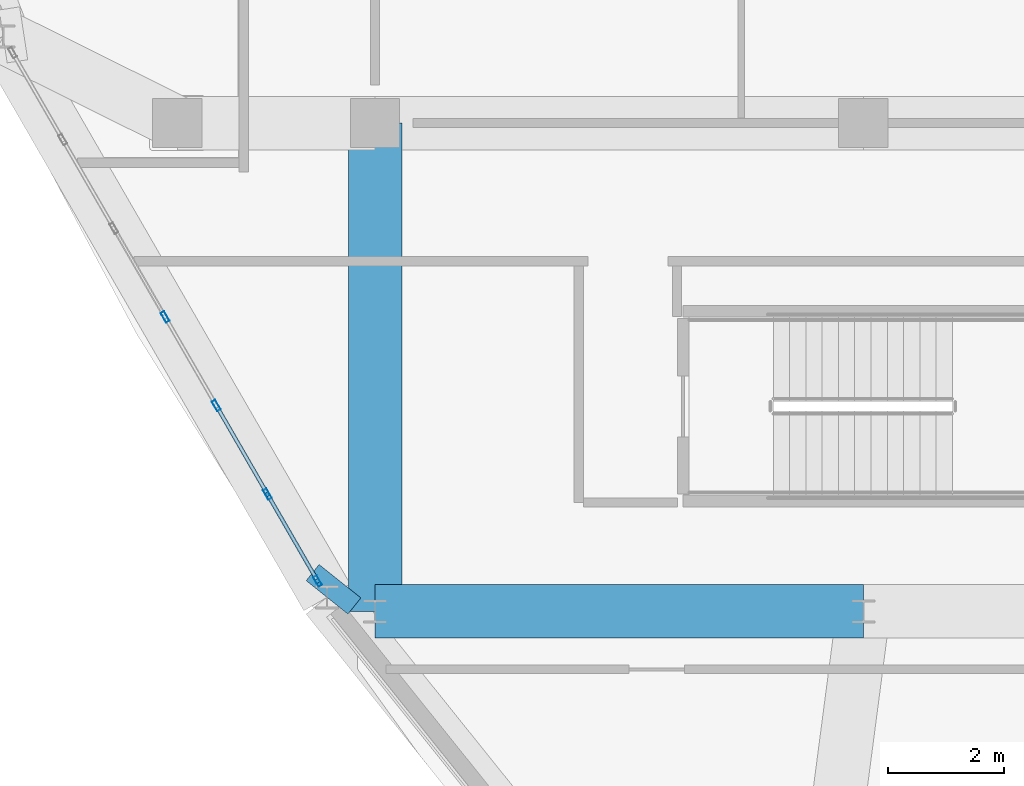
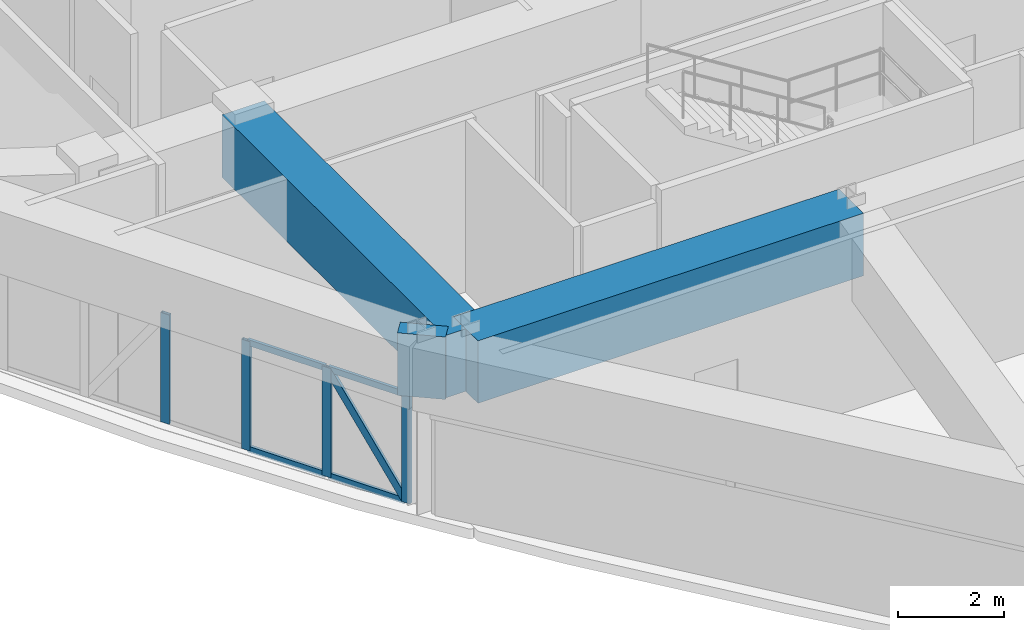
# One storey, part 2 of 17: 9 members, 3 beams, 1 element without a shape of its own.
"""IFC4 building model written with IfcOpenShell, lengths in metres."""

from ifc_helpers import new_model, si_unit, derived_unit, direction, frame, origin, origin_2d, place, context, subcontext, project, spatial, rectangle, hollow_rectangle, extrude, source, transform, mapped, material, layer, layer_set, material_profile, profile_set, type_object, element, aggregate, save


model = new_model("IFC4")

# Units and contexts
model_context = context("Model", 3, precision=1e-05, world=origin(), true_north=direction((0.0, 1.0)))
body_context = subcontext(model_context, "Body", "Model", "MODEL_VIEW")
ifc_project = project(units=[si_unit("LENGTHUNIT", "METRE"), si_unit("AREAUNIT", "SQUARE_METRE"), si_unit("VOLUMEUNIT", "CUBIC_METRE"), si_unit("PLANEANGLEUNIT", "RADIAN"), si_unit("MASSUNIT", "GRAM", prefix="KILO"), derived_unit("THERMALTRANSMITTANCEUNIT", [(si_unit("POWERUNIT", "WATT"), 1), (si_unit("LENGTHUNIT", "METRE"), -2), (si_unit("THERMODYNAMICTEMPERATUREUNIT", "KELVIN"), -1)])], contexts=[model_context])

# Site, building, storey
site_placement = place(None, origin())
site = spatial("IfcSite", under=ifc_project, at=site_placement, CompositionType="ELEMENT")
building_placement = place(site_placement, origin())
building = spatial("IfcBuilding", under=site, at=building_placement, Name="Korsvarv Bourse and Concert Hall", CompositionType="ELEMENT")
storey_placement = place(building_placement, frame((0.0, 0.0, 279.60009765625)))
storey = spatial("IfcBuildingStorey", under=building, at=storey_placement, Name="L73", CompositionType="ELEMENT", Elevation=279.60009765625)

# Beams
ifc_material_1 = material(Name="Concrete C50/60", Category="concrete")
ifc_material_profile_1 = material_profile(ifc_material_1, rectangle(XDim=0.919921875, YDim=1.43994140625, at=origin_2d()), Name="RC-BM 920x1440")
ifc_profile_set_1 = profile_set([ifc_material_profile_1], Name="Concrete C50/60")
beam_type = type_object("IfcBeamType", Name="BM-TR-144", PredefinedType="BEAM", material=ifc_profile_set_1)
shared_shape_1 = source(origin(), body_context, "Body", "SweptSolid", [
    extrude(rectangle(XDim=0.919921875, YDim=1.43994140625, at=origin_2d()), origin(), (0.0, 0.0, 1.0), 8.39990234375),
])
for number, where, z_axis, x_axis, name in (
    (1, (27.60009765625, 24.0, 3.239990234375), (1.0, 0.0, 0.0), (0.0, 1.0, 0.0), "L73 beam B-TR4"),
    (2, (27.60009765625, 24.0, 3.239990234375), (0.0, 1.0, 0.0), (-1.0, 0.0, 0.0), "L73 beam B-TR4"),
):
    element("IfcBeam", number, at=place(storey_placement, frame(where, z_axis=z_axis, x_axis=x_axis)), inside=storey, type_object=beam_type, Name=name, PredefinedType="BEAM", context=body_context, shape_type="MappedRepresentation", body=[
        mapped(shared_shape_1, transform((0.0, 0.0, 0.0), scale=1.0)),
    ])
shared_shape_2 = source(origin(), body_context, "Body", "SweptSolid", [
    extrude(rectangle(XDim=0.919921875, YDim=1.43994140625, at=origin_2d()), origin(), (0.0, 0.0, 1.0), 0.3564453125),
])
beam_placement = place(storey_placement, frame((26.77490234375, 24.24267578125, 3.239990234375), z_axis=(0.624695047554, 0.780868809443, 0.0), x_axis=(-0.780868809443, 0.624695047554, 0.0)))
element("IfcBeam", 3, at=beam_placement, inside=storey, type_object=beam_type, Name="L73 beam B-TR4", PredefinedType="BEAM", context=body_context, shape_type="MappedRepresentation", body=[
    mapped(shared_shape_2, transform((0.0, 0.0, 0.0), scale=1.0)),
])

# Curtain wall, members
ifc_material_2 = material(Name="Anodised aluminium and triple low-E glazing", Category="glass")
ifc_layer = layer(ifc_material_2, 0.18994140625)
ifc_layer_set = layer_set([ifc_layer], Name="Anodised aluminium and triple low-E glazing")
curtain_wall_type = type_object("IfcCurtainWallType", Name="CW-SYS-4", PredefinedType="NOTDEFINED", material=ifc_layer_set)
curtain_wall_placement = place(storey_placement, origin())
curtain_wall = element("IfcCurtainWall", 4, at=curtain_wall_placement, inside=storey, type_object=curtain_wall_type, Name="L73 CW4 curtain wall CW-L73-F07", PredefinedType="NOTDEFINED")
ifc_material_3 = material(Name="Extruded aluminium EN AW-6063 T66", Category="aluminium")
ifc_material_profile_2 = material_profile(ifc_material_3, hollow_rectangle(XDim=0.070068359375, YDim=0.18994140625, WallThickness=0.0048828125, at=origin_2d()), Name="ALU-M 70x190")
ifc_profile_set_2 = profile_set([ifc_material_profile_2], Name="Extruded aluminium EN AW-6063 T66")
member_type_1 = type_object("IfcMemberType", Name="CWM-190", PredefinedType="MULLION", material=ifc_profile_set_2)
shared_shape_3 = source(origin(), body_context, "Body", "SweptSolid", [
    extrude(hollow_rectangle(XDim=0.070068359375, YDim=0.18994140625, WallThickness=0.0048828125, at=origin_2d()), origin(), (0.0, 0.0, 1.0), 2.52001953125),
])
member_1_placement = place(storey_placement, frame((23.989990234375, 29.066162109375, 0.0), z_axis=(0.0, 0.0, 1.0), x_axis=(0.866026512974, 0.499998078822, 0.0)))
member_1 = element("IfcMember", 5, at=member_1_placement, type_object=member_type_1, Name="CW4 mullion 4", PredefinedType="MULLION", context=body_context, shape_type="MappedRepresentation", body=[
    mapped(shared_shape_3, transform((0.0, 0.0, 0.0), scale=1.0)),
])
member_2_placement = place(storey_placement, frame((24.870361328125, 27.54150390625, 0.0), z_axis=(0.0, 0.0, 1.0), x_axis=(0.866026512974, 0.499998078822, 0.0)))
member_2 = element("IfcMember", 6, at=member_2_placement, type_object=member_type_1, Name="CW4 mullion 5", PredefinedType="MULLION", context=body_context, shape_type="MappedRepresentation", body=[
    mapped(shared_shape_3, transform((0.0, 0.0, 0.0), scale=1.0)),
])
member_3_placement = place(storey_placement, frame((25.75048828125, 26.016845703125, 0.0), z_axis=(0.0, 0.0, 1.0), x_axis=(0.866026512974, 0.499998078822, 0.0)))
member_3 = element("IfcMember", 7, at=member_3_placement, type_object=member_type_1, Name="CW4 mullion 6", PredefinedType="MULLION", context=body_context, shape_type="MappedRepresentation", body=[
    mapped(shared_shape_3, transform((0.0, 0.0, 0.0), scale=1.0)),
])
member_4_placement = place(storey_placement, frame((26.61328125, 24.5224609375, 0.0), z_axis=(0.0, 0.0, 1.0), x_axis=(0.866026512974, 0.499998078822, 0.0)))
member_4 = element("IfcMember", 8, at=member_4_placement, type_object=member_type_1, Name="CW4 mullion 7", PredefinedType="MULLION", context=body_context, shape_type="MappedRepresentation", body=[
    mapped(shared_shape_3, transform((0.0, 0.0, 0.0), scale=1.0)),
])
ifc_material_profile_3 = material_profile(ifc_material_3, hollow_rectangle(XDim=0.06494140625, YDim=0.139892578125, WallThickness=0.00390625, at=origin_2d()), Name="ALU-T 65x140")
ifc_profile_set_3 = profile_set([ifc_material_profile_3], Name="Extruded aluminium EN AW-6063 T66")
member_type_2 = type_object("IfcMemberType", Name="CWT-140", PredefinedType="USERDEFINED", material=ifc_profile_set_3)
shared_shape_4 = source(origin(), body_context, "Body", "SweptSolid", [
    extrude(hollow_rectangle(XDim=0.06494140625, YDim=0.139892578125, WallThickness=0.00390625, at=origin_2d()), origin(), (0.0, 0.0, 1.0), 1.655517578125),
])
member_5_placement = place(storey_placement, frame((25.76806640625, 25.986572265625, 0.032470703125), z_axis=(0.499913935915, -0.866075087206, 0.0), x_axis=(0.866075087206, 0.499913935915, 0.0)))
member_5 = element("IfcMember", 9, at=member_5_placement, type_object=member_type_2, Name="CW4 transom 6.1", ObjectType="TRANSOM", PredefinedType="USERDEFINED", context=body_context, shape_type="MappedRepresentation", body=[
    mapped(shared_shape_4, transform((0.0, 0.0, 0.0), scale=1.0)),
])
member_6_placement = place(storey_placement, frame((25.76806640625, 25.986572265625, 2.4873046875), z_axis=(0.499913935915, -0.866075087206, 0.0), x_axis=(0.866075087206, 0.499913935915, 0.0)))
member_6 = element("IfcMember", 10, at=member_6_placement, type_object=member_type_2, Name="CW4 transom 6.2", ObjectType="TRANSOM", PredefinedType="USERDEFINED", context=body_context, shape_type="MappedRepresentation", body=[
    mapped(shared_shape_4, transform((0.0, 0.0, 0.0), scale=1.0)),
])
shared_shape_5 = source(origin(), body_context, "Body", "SweptSolid", [
    extrude(hollow_rectangle(XDim=0.06494140625, YDim=0.139892578125, WallThickness=0.00390625, at=origin_2d()), origin(), (0.0, 0.0, 1.0), 1.690673828125),
])
member_7_placement = place(storey_placement, frame((24.887939453125, 27.51123046875, 0.032470703125), z_axis=(0.499959971872, -0.866048512801, 0.0), x_axis=(0.866048512801, 0.499959971872, 0.0)))
member_7 = element("IfcMember", 11, at=member_7_placement, type_object=member_type_2, Name="CW4 transom 5.1", ObjectType="TRANSOM", PredefinedType="USERDEFINED", context=body_context, shape_type="MappedRepresentation", body=[
    mapped(shared_shape_5, transform((0.0, 0.0, 0.0), scale=1.0)),
])
member_8_placement = place(storey_placement, frame((24.887939453125, 27.51123046875, 2.4873046875), z_axis=(0.499959971872, -0.866048512801, 0.0), x_axis=(0.866048512801, 0.499959971872, 0.0)))
member_8 = element("IfcMember", 12, at=member_8_placement, type_object=member_type_2, Name="CW4 transom 5.2", ObjectType="TRANSOM", PredefinedType="USERDEFINED", context=body_context, shape_type="MappedRepresentation", body=[
    mapped(shared_shape_5, transform((0.0, 0.0, 0.0), scale=1.0)),
])
ifc_material_profile_4 = material_profile(ifc_material_3, hollow_rectangle(XDim=0.06494140625, YDim=0.1650390625, WallThickness=0.0048828125, at=origin_2d()), Name="ALU-M 65x165")
ifc_profile_set_4 = profile_set([ifc_material_profile_4], Name="Extruded aluminium EN AW-6063 T66")
member_type_3 = type_object("IfcMemberType", Name="CWM-165", PredefinedType="MULLION", material=ifc_profile_set_4)
shared_shape_6 = source(origin(), body_context, "Body", "SweptSolid", [
    extrude(hollow_rectangle(XDim=0.06494140625, YDim=0.1650390625, WallThickness=0.0048828125, at=origin_2d()), origin(), (0.0, 0.0, 1.0), 2.9072265625),
])
member_9_placement = place(storey_placement, frame((26.595703125, 24.552734375, 0.06494140625), z_axis=(-0.284674249104, 0.493183441, 0.822028384802), x_axis=(-0.866075087206, -0.499913935915, 0.0)))
member_9 = element("IfcMember", 13, at=member_9_placement, type_object=member_type_3, Name="CW4 diagonal mullion 6", PredefinedType="MULLION", context=body_context, shape_type="MappedRepresentation", body=[
    mapped(shared_shape_6, transform((0.0, 0.0, 0.0), scale=1.0)),
])
aggregate(curtain_wall, [member_1, member_2, member_3, member_4, member_7, member_8, member_5, member_6, member_9])

save(model, "model.ifc")
